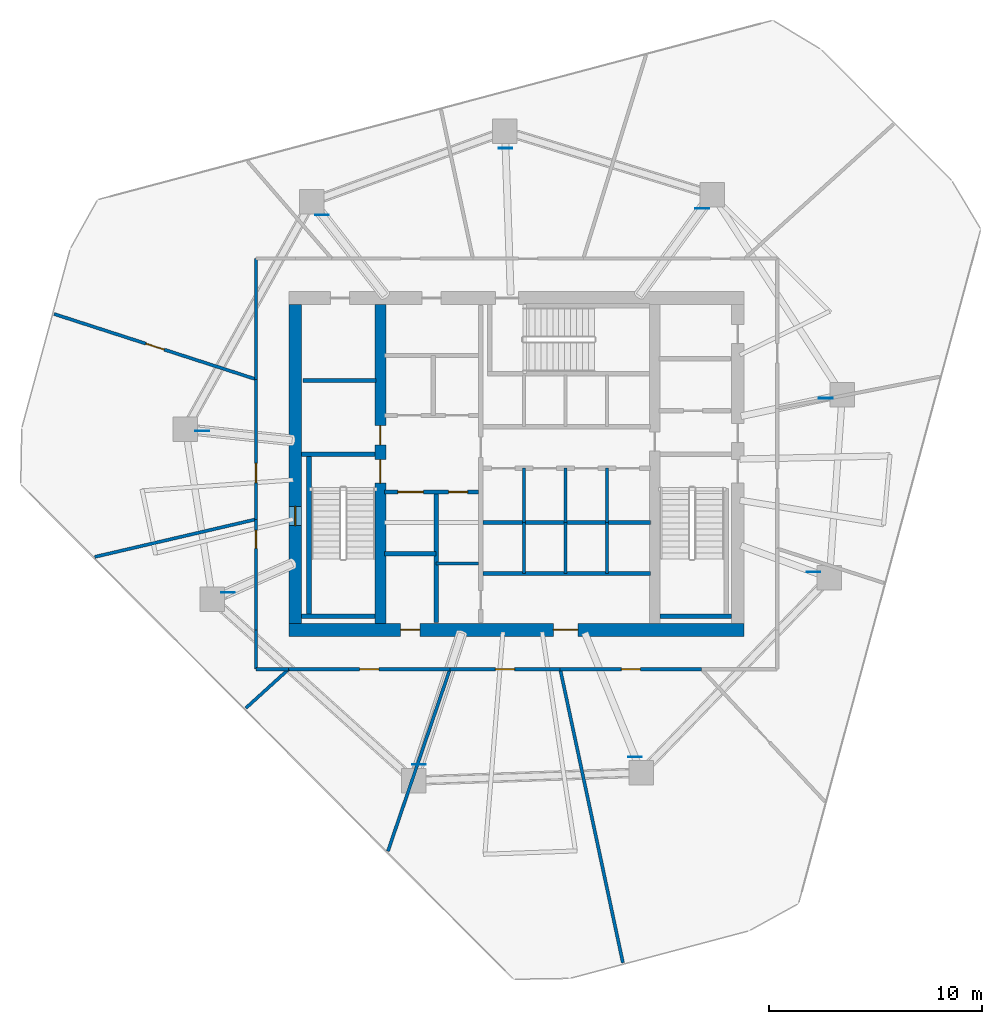
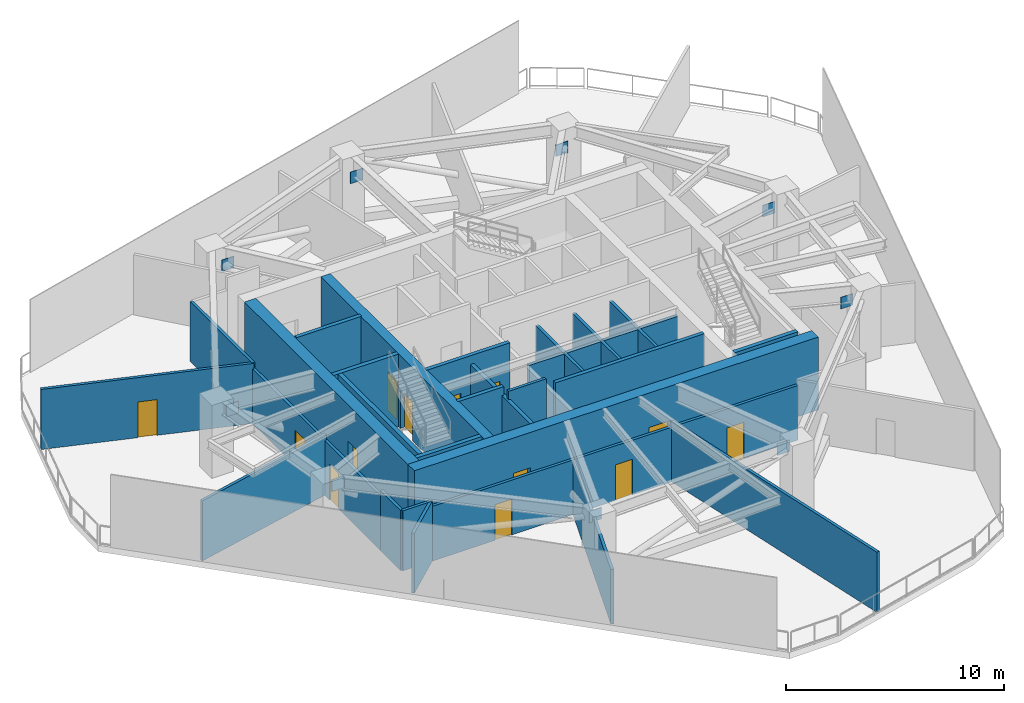
# One storey, part 3 of 7: 33 walls, 13 doors, 9 plates, 13 openings.
"""IFC4 building model written with IfcOpenShell, lengths in metres."""

from ifc_helpers import new_model, si_unit, direction, frame, frame_2d, origin, origin_2d, place, context, subcontext, project, spatial, rectangle, extrude, material, layer, layer_set, type_object, element, fill, save


model = new_model("IFC4")

# Units and contexts
model_context = context("Model", 3, precision=1e-05, world=origin(), true_north=direction((0.0, 1.0)))
body_context = subcontext(model_context, "Body", "Model", "MODEL_VIEW")
ifc_project = project(units=[si_unit("LENGTHUNIT", "METRE"), si_unit("AREAUNIT", "SQUARE_METRE"), si_unit("VOLUMEUNIT", "CUBIC_METRE"), si_unit("PLANEANGLEUNIT", "RADIAN"), si_unit("MASSUNIT", "GRAM", prefix="KILO")], contexts=[model_context])

# Site, building, storey
site_placement = place(None, origin())
site = spatial("IfcSite", under=ifc_project, at=site_placement, CompositionType="ELEMENT")
building_placement = place(site_placement, origin())
building = spatial("IfcBuilding", under=site, at=building_placement, Name="Qarnah Convention Tower", CompositionType="ELEMENT")
storey_placement = place(building_placement, frame((0.0, 0.0, 121.199951171875)))
storey = spatial("IfcBuildingStorey", under=building, at=storey_placement, Name="L32", CompositionType="ELEMENT", Elevation=121.199951171875)

# Plates
ifc_material_1 = material(Name="Structural steel S355JR", Category="steel")
ifc_layer_1 = layer(ifc_material_1, 0.028076171875)
ifc_layer_set_1 = layer_set([ifc_layer_1], Name="Structural steel S355JR")
plate_type = type_object("IfcPlateType", Name="PLT-FLANGE-28", PredefinedType="USERDEFINED", material=ifc_layer_set_1)
for number, where, z_axis, x_axis, name in (
    (1, (51.72509765625, 29.487060546875, 2.795166015625), (0.0, 0.0, 1.0), (1.0, 0.0, 0.0), "L32 outrigger node flange plate 01"),
    (2, (45.928955078125, 38.4140625, 2.795166015625), (0.0, 0.0, 1.0), (1.0, 0.0, 0.0), "L32 outrigger node flange plate 02"),
    (3, (36.681884765625, 41.240966796875, 2.795166015625), (0.0, 0.0, 1.0), (1.0, 0.0, 0.0), "L32 outrigger node flange plate 03"),
    (4, (28.056884765625, 38.10205078125, 2.795166015625), (0.0, 0.0, 1.0), (1.0, 0.0, 0.0), "L32 outrigger node flange plate 04"),
    (5, (22.430908203125, 27.951904296875, 2.795166015625), (0.0, 0.0, 1.0), (1.0, 0.0, 0.0), "L32 outrigger node flange plate 05"),
    (6, (23.634033203125, 20.360107421875, 2.795166015625), (0.0, 0.0, 1.0), (1.0, 0.0, 0.0), "L32 outrigger node flange plate 06"),
    (7, (32.611083984375, 12.277099609375, 2.795166015625), (0.0, 0.0, 1.0), (1.0, 0.0, 0.0), "L32 outrigger node flange plate 07"),
    (8, (42.762939453125, 12.631103515625, 2.795166015625), (0.0, 0.0, 1.0), (1.0, 0.0, 0.0), "L32 outrigger node flange plate 08"),
    (9, (51.154052734375, 21.321044921875, 2.795166015625), (0.0, 0.0, 1.0), (1.0, 0.0, 0.0), "L32 outrigger node flange plate 09"),
):
    element("IfcPlate", number, at=place(storey_placement, frame(where, z_axis=z_axis, x_axis=x_axis)), inside=storey, type_object=plate_type, Name=name, ObjectType="FLANGE_PLATE", PredefinedType="USERDEFINED", context=body_context, shape_type="SweptSolid", body=[
        extrude(rectangle(XDim=0.64990234375, YDim=0.028076171875, at=origin_2d()), origin(), (0.0, 0.0, 1.0), 0.64990234375),
    ])

# Wall, openings, doors
ifc_material_2 = material(Name="Concrete C60/75", Category="concrete")
ifc_layer_2 = layer(ifc_material_2, 0.60009765625)
ifc_layer_set_2 = layer_set([ifc_layer_2], Name="Concrete C60/75")
wall_type_1 = type_object("IfcWallType", Name="WL-CORE-600", PredefinedType="SHEAR", material=ifc_layer_set_2)
wall_1_placement = place(storey_placement, frame((26.5, 18.60009765625, 0.0), z_axis=(0.0, 0.0, 1.0), x_axis=(1.0, 0.0, 0.0)))
wall_1 = element("IfcWall", 10, at=wall_1_placement, inside=storey, type_object=wall_type_1, Name="L32 core south shear wall", PredefinedType="SHEAR", context=body_context, shape_type="SweptSolid", body=[
    extrude(rectangle(XDim=21.39990234375, YDim=0.60009765625, at=frame_2d((10.699951171875, 0.0))), origin(), (0.0, 0.0, 1.0), 4.080078125),
])
opening_1_placement = place(wall_1_placement, frame((12.425048828125, 0.0, 0.0)))
opening_1 = element("IfcOpeningElement", 11, at=opening_1_placement, cuts=wall_1, Name="Opening D-3207", PredefinedType="OPENING", context=body_context, shape_type="SweptSolid", body=[
    extrude(rectangle(XDim=1.14990234375, YDim=2.14990234375, at=frame_2d((0.574951171875, 1.074951171875))), frame((0.0, 0.31005859375, 0.0), z_axis=(0.0, -1.0, 0.0), x_axis=(1.0, 0.0, 0.0)), (0.0, 0.0, 1.0), 0.6201171875),
])
opening_2_placement = place(wall_1_placement, frame((5.25, 0.0, 0.0)))
opening_2 = element("IfcOpeningElement", 12, at=opening_2_placement, cuts=wall_1, Name="Opening D-3213", PredefinedType="OPENING", context=body_context, shape_type="SweptSolid", body=[
    extrude(rectangle(XDim=0.89990234375, YDim=2.10009765625, at=frame_2d((0.449951171875, 1.050048828125))), frame((0.0, 0.31005859375, 0.0), z_axis=(0.0, -1.0, 0.0), x_axis=(1.0, 0.0, 0.0)), (0.0, 0.0, 1.0), 0.6201171875),
])
door_type_1 = type_object("IfcDoorType", Name="DT-LOBBY-1150", OperationType="NOTDEFINED", PredefinedType="DOOR", material=ifc_material_1)
door_1_placement = place(opening_1_placement, origin())
door_1 = element("IfcDoor", 13, at=door_1_placement, inside=storey, type_object=door_type_1, Name="Door D-3207", OperationType="SINGLE_SWING_RIGHT", OverallHeight=2.14990234375, OverallWidth=1.14990234375, PredefinedType="DOOR", context=body_context, shape_type="SweptSolid", body=[
    extrude(rectangle(XDim=1.14990234375, YDim=2.14990234375, at=frame_2d((0.574951171875, 1.074951171875))), frame((0.0, 0.02490234375, 0.0), z_axis=(0.0, -1.0, 0.0), x_axis=(1.0, 0.0, 0.0)), (0.0, 0.0, 1.0), 0.050048828125),
])
fill(opening_1, door_1)
door_type_2 = type_object("IfcDoorType", Name="DT-RISER-900", OperationType="NOTDEFINED", PredefinedType="DOOR", material=ifc_material_1)
door_2_placement = place(opening_2_placement, origin())
door_2 = element("IfcDoor", 14, at=door_2_placement, inside=storey, type_object=door_type_2, Name="Door D-3213", OperationType="SINGLE_SWING_RIGHT", OverallHeight=2.10009765625, OverallWidth=0.89990234375, PredefinedType="DOOR", context=body_context, shape_type="SweptSolid", body=[
    extrude(rectangle(XDim=0.89990234375, YDim=2.10009765625, at=frame_2d((0.449951171875, 1.050048828125))), frame((0.0, 0.02490234375, 0.0), z_axis=(0.0, -1.0, 0.0), x_axis=(1.0, 0.0, 0.0)), (0.0, 0.0, 1.0), 0.050048828125),
])
fill(opening_2, door_2)

# Wall, opening, door
wall_2_placement = place(storey_placement, frame((26.800048828125, 18.89990234375, 0.0), z_axis=(0.0, 0.0, 1.0), x_axis=(0.0, 1.0, 0.0)))
wall_2 = element("IfcWall", 15, at=wall_2_placement, inside=storey, type_object=wall_type_1, Name="L32 core west shear wall", PredefinedType="SHEAR", context=body_context, shape_type="SweptSolid", body=[
    extrude(rectangle(XDim=15.0, YDim=0.60009765625, at=frame_2d((7.5, 0.0))), origin(), (0.0, 0.0, 1.0), 4.080078125),
])
opening_3_placement = place(wall_2_placement, frame((4.60009765625, 0.0, 0.02001953125)))
opening_3 = element("IfcOpeningElement", 16, at=opening_3_placement, cuts=wall_2, Name="Opening HT-3201", PredefinedType="OPENING", context=body_context, shape_type="SweptSolid", body=[
    extrude(rectangle(XDim=0.89990234375, YDim=2.02001953125, at=frame_2d((0.449951171875, 1.010009765625))), frame((0.0, 0.31005859375, 0.0), z_axis=(0.0, -1.0, 0.0), x_axis=(1.0, 0.0, 0.0)), (0.0, 0.0, 1.0), 0.6201171875),
])
door_type_3 = type_object("IfcDoorType", Name="DT-HATCH-900", OperationType="NOTDEFINED", PredefinedType="TRAPDOOR", material=ifc_material_1)
door_3_placement = place(opening_3_placement, origin())
door_3 = element("IfcDoor", 17, at=door_3_placement, inside=storey, type_object=door_type_3, Name="L32 mechanical plenum access trapdoor", OperationType="SINGLE_SWING_LEFT", OverallHeight=2.02001953125, OverallWidth=0.89990234375, PredefinedType="TRAPDOOR", context=body_context, shape_type="SweptSolid", body=[
    extrude(rectangle(XDim=0.89990234375, YDim=2.02001953125, at=frame_2d((0.449951171875, 1.010009765625))), frame((0.0, 0.02490234375, 0.0), z_axis=(0.0, -1.0, 0.0), x_axis=(1.0, 0.0, 0.0)), (0.0, 0.0, 1.0), 0.050048828125),
])
fill(opening_3, door_3)

# Wall, openings, doors
ifc_layer_3 = layer(ifc_material_2, 0.5)
ifc_layer_set_3 = layer_set([ifc_layer_3], Name="Concrete C60/75")
wall_type_2 = type_object("IfcWallType", Name="WL-CORE-INT-400", PredefinedType="SHEAR", material=ifc_layer_set_3)
wall_3_placement = place(storey_placement, frame((30.800048828125, 18.89990234375, 0.0), z_axis=(0.0, 0.0, 1.0), x_axis=(0.0, 1.0, 0.0)))
wall_3 = element("IfcWall", 18, at=wall_3_placement, inside=storey, type_object=wall_type_2, Name="L32 core west spine shear wall", PredefinedType="SHEAR", context=body_context, shape_type="SweptSolid", body=[
    extrude(rectangle(XDim=15.0, YDim=0.5, at=frame_2d((7.5, 0.0))), origin(), (0.0, 0.0, 1.0), 4.080078125),
])
opening_4_placement = place(wall_3_placement, frame((6.60009765625, 0.0, 0.0)))
opening_4 = element("IfcOpeningElement", 19, at=opening_4_placement, cuts=wall_3, Name="Opening D-3201", PredefinedType="OPENING", context=body_context, shape_type="SweptSolid", body=[
    extrude(rectangle(XDim=1.10009765625, YDim=2.14990234375, at=frame_2d((0.550048828125, 1.074951171875))), frame((0.0, 0.260009765625, 0.0), z_axis=(0.0, -1.0, 0.0), x_axis=(1.0, 0.0, 0.0)), (0.0, 0.0, 1.0), 0.52001953125),
])
opening_5_placement = place(wall_3_placement, frame((8.39990234375, 0.0, 0.0)))
opening_5 = element("IfcOpeningElement", 20, at=opening_5_placement, cuts=wall_3, Name="Opening D-3208", PredefinedType="OPENING", context=body_context, shape_type="SweptSolid", body=[
    extrude(rectangle(XDim=0.89990234375, YDim=2.10009765625, at=frame_2d((0.449951171875, 1.050048828125))), frame((0.0, 0.260009765625, 0.0), z_axis=(0.0, -1.0, 0.0), x_axis=(1.0, 0.0, 0.0)), (0.0, 0.0, 1.0), 0.52001953125),
])
door_4_placement = place(opening_5_placement, origin())
door_4 = element("IfcDoor", 21, at=door_4_placement, inside=storey, type_object=door_type_2, Name="Door D-3208", OperationType="SINGLE_SWING_LEFT", OverallHeight=2.10009765625, OverallWidth=0.89990234375, PredefinedType="DOOR", context=body_context, shape_type="SweptSolid", body=[
    extrude(rectangle(XDim=0.89990234375, YDim=2.10009765625, at=frame_2d((0.449951171875, 1.050048828125))), frame((0.0, 0.02490234375, 0.0), z_axis=(0.0, -1.0, 0.0), x_axis=(1.0, 0.0, 0.0)), (0.0, 0.0, 1.0), 0.050048828125),
])
fill(opening_5, door_4)
door_type_4 = type_object("IfcDoorType", Name="DT-STAIR-1100", OperationType="NOTDEFINED", PredefinedType="DOOR", material=ifc_material_1)
door_5_placement = place(opening_4_placement, origin())
door_5 = element("IfcDoor", 22, at=door_5_placement, inside=storey, type_object=door_type_4, Name="Door D-3201", OperationType="SINGLE_SWING_RIGHT", OverallHeight=2.14990234375, OverallWidth=1.10009765625, PredefinedType="DOOR", context=body_context, shape_type="SweptSolid", body=[
    extrude(rectangle(XDim=1.10009765625, YDim=2.14990234375, at=frame_2d((0.550048828125, 1.074951171875))), frame((0.0, 0.02490234375, 0.0), z_axis=(0.0, -1.0, 0.0), x_axis=(1.0, 0.0, 0.0)), (0.0, 0.0, 1.0), 0.050048828125),
])
fill(opening_4, door_5)

# Wall
ifc_material_3 = material(Name="Concrete C45/55", Category="concrete")
ifc_layer_4 = layer(ifc_material_3, 0.199951171875)
ifc_layer_set_4 = layer_set([ifc_layer_4], Name="Concrete C45/55")
wall_type_3 = type_object("IfcWallType", Name="WL-CORE-PART-200", PredefinedType="SOLIDWALL", material=ifc_layer_set_4)
wall_4_placement = place(storey_placement, frame((27.14990234375, 30.320068359375, 0.0), z_axis=(0.0, 0.0, 1.0), x_axis=(1.0, 0.0, 0.0)))
element("IfcWall", 23, at=wall_4_placement, inside=storey, type_object=wall_type_3, Name="L32 interior wall IW-L32-ELRN", PredefinedType="SOLIDWALL", context=body_context, shape_type="SweptSolid", body=[
    extrude(rectangle(XDim=3.4501953125, YDim=0.199951171875, at=frame_2d((1.72509765625, 0.0))), origin(), (0.0, 0.0, 1.0), 4.080078125),
])

# Wall, openings, doors
wall_5_placement = place(storey_placement, frame((31.0, 25.080078125, 0.0), z_axis=(0.0, 0.0, 1.0), x_axis=(1.0, 0.0, 0.0)))
wall_5 = element("IfcWall", 24, at=wall_5_placement, inside=storey, type_object=wall_type_3, Name="L32 interior wall IW-L32-FFLBS", PredefinedType="SOLIDWALL", context=body_context, shape_type="SweptSolid", body=[
    extrude(rectangle(XDim=4.419921875, YDim=0.199951171875, at=frame_2d((2.2099609375, 0.0))), origin(), (0.0, 0.0, 1.0), 4.080078125),
])
opening_6_placement = place(wall_5_placement, frame((3.0, 0.0, 0.0)))
opening_6 = element("IfcOpeningElement", 25, at=opening_6_placement, cuts=wall_5, Name="Opening D-3215", PredefinedType="OPENING", context=body_context, shape_type="SweptSolid", body=[
    extrude(rectangle(XDim=0.89990234375, YDim=2.10009765625, at=frame_2d((0.449951171875, 1.050048828125))), frame((0.0, 0.10986328125, 0.0), z_axis=(0.0, -1.0, 0.0), x_axis=(1.0, 0.0, 0.0)), (0.0, 0.0, 1.0), 0.219970703125),
])
opening_7_placement = place(wall_5_placement, frame((0.6201171875, 0.0, 0.0)))
opening_7 = element("IfcOpeningElement", 26, at=opening_7_placement, cuts=wall_5, Name="Opening LD-3203", PredefinedType="OPENING", context=body_context, shape_type="SweptSolid", body=[
    extrude(rectangle(XDim=1.199951171875, YDim=2.14990234375, at=frame_2d((0.60009765625, 1.074951171875))), frame((0.0, 0.10986328125, 0.0), z_axis=(0.0, -1.0, 0.0), x_axis=(1.0, 0.0, 0.0)), (0.0, 0.0, 1.0), 0.219970703125),
])
door_type_5 = type_object("IfcDoorType", Name="DT-LIFT-1200", OperationType="SLIDING_TO_LEFT", PredefinedType="DOOR", material=ifc_material_1)
door_6_placement = place(opening_7_placement, origin())
door_6 = element("IfcDoor", 27, at=door_6_placement, inside=storey, type_object=door_type_5, Name="Door LD-3203", OperationType="SLIDING_TO_LEFT", OverallHeight=2.14990234375, OverallWidth=1.199951171875, PredefinedType="DOOR", context=body_context, shape_type="SweptSolid", body=[
    extrude(rectangle(XDim=1.199951171875, YDim=2.14990234375, at=frame_2d((0.60009765625, 1.074951171875))), frame((0.0, 0.02490234375, 0.0), z_axis=(0.0, -1.0, 0.0), x_axis=(1.0, 0.0, 0.0)), (0.0, 0.0, 1.0), 0.050048828125),
])
fill(opening_7, door_6)
door_7_placement = place(opening_6_placement, origin())
door_7 = element("IfcDoor", 28, at=door_7_placement, inside=storey, type_object=door_type_2, Name="Door D-3215", OperationType="SINGLE_SWING_RIGHT", OverallHeight=2.10009765625, OverallWidth=0.89990234375, PredefinedType="DOOR", context=body_context, shape_type="SweptSolid", body=[
    extrude(rectangle(XDim=0.89990234375, YDim=2.10009765625, at=frame_2d((0.449951171875, 1.050048828125))), frame((0.0, 0.02490234375, 0.0), z_axis=(0.0, -1.0, 0.0), x_axis=(1.0, 0.0, 0.0)), (0.0, 0.0, 1.0), 0.050048828125),
])
fill(opening_6, door_7)

# Walls
wall_6_placement = place(storey_placement, frame((33.419921875, 18.949951171875, 0.0), z_axis=(0.0, 0.0, 1.0), x_axis=(0.0, 1.0, 0.0)))
element("IfcWall", 29, at=wall_6_placement, inside=storey, type_object=wall_type_3, Name="L32 interior wall IW-L32-SVLE", PredefinedType="SOLIDWALL", context=body_context, shape_type="SweptSolid", body=[
    extrude(rectangle(XDim=6.130126953125, YDim=0.199951171875, at=frame_2d((3.06494140625, 0.0))), origin(), (0.0, 0.0, 1.0), 3.60107421875),
])
wall_7_placement = place(storey_placement, frame((31.0, 22.179931640625, 0.0), z_axis=(0.0, 0.0, 1.0), x_axis=(1.0, 0.0, 0.0)))
element("IfcWall", 30, at=wall_7_placement, inside=storey, type_object=wall_type_3, Name="L32 interior wall IW-L32-SVLS", PredefinedType="SOLIDWALL", context=body_context, shape_type="SweptSolid", body=[
    extrude(rectangle(XDim=2.419921875, YDim=0.199951171875, at=frame_2d((1.2099609375, 0.0))), origin(), (0.0, 0.0, 1.0), 4.080078125),
])
wall_8_placement = place(storey_placement, frame((35.6201171875, 23.64990234375, 0.0), z_axis=(0.0, 0.0, 1.0), x_axis=(1.0, 0.0, 0.0)))
element("IfcWall", 31, at=wall_8_placement, inside=storey, type_object=wall_type_3, Name="L32 interior wall IW-L32-PMPL", PredefinedType="SOLIDWALL", context=body_context, shape_type="SweptSolid", body=[
    extrude(rectangle(XDim=7.8798828125, YDim=0.199951171875, at=frame_2d((3.93994140625, 0.0))), origin(), (0.0, 0.0, 1.0), 3.60107421875),
])
wall_9_placement = place(storey_placement, frame((35.6201171875, 21.25, 0.0), z_axis=(0.0, 0.0, 1.0), x_axis=(1.0, 0.0, 0.0)))
element("IfcWall", 32, at=wall_9_placement, inside=storey, type_object=wall_type_3, Name="L32 interior wall IW-L32-PLS", PredefinedType="SOLIDWALL", context=body_context, shape_type="SweptSolid", body=[
    extrude(rectangle(XDim=7.8798828125, YDim=0.199951171875, at=frame_2d((3.93994140625, 0.0))), origin(), (0.0, 0.0, 1.0), 4.080078125),
])
ifc_layer_5 = layer(ifc_material_2, 0.219970703125)
ifc_layer_set_5 = layer_set([ifc_layer_5], Name="Concrete C60/75")
wall_type_4 = type_object("IfcWallType", Name="WL-CORE-STAIR-220", PredefinedType="SHEAR", material=ifc_layer_set_5)
wall_10_placement = place(storey_placement, frame((27.10009765625, 26.860107421875, 0.0), z_axis=(0.0, 0.0, 1.0), x_axis=(1.0, 0.0, 0.0)))
element("IfcWall", 33, at=wall_10_placement, inside=storey, type_object=wall_type_4, Name="L32 stair shaft shear wall SW-L32-ST1N", PredefinedType="SHEAR", context=body_context, shape_type="SweptSolid", body=[
    extrude(rectangle(XDim=3.449951171875, YDim=0.219970703125, at=frame_2d((1.72509765625, 0.0))), origin(), (0.0, 0.0, 1.0), 4.080078125),
])
wall_11_placement = place(storey_placement, frame((27.43994140625, 19.35009765625, 0.0), z_axis=(0.0, 0.0, 1.0), x_axis=(0.0, 1.0, 0.0)))
element("IfcWall", 34, at=wall_11_placement, inside=storey, type_object=wall_type_4, Name="L32 stair shaft shear wall SW-L32-ST1W", PredefinedType="SHEAR", context=body_context, shape_type="SweptSolid", body=[
    extrude(rectangle(XDim=7.39990234375, YDim=0.219970703125, at=frame_2d((3.699951171875, 0.0))), origin(), (0.0, 0.0, 1.0), 4.080078125),
])
wall_12_placement = place(storey_placement, frame((27.10009765625, 19.239990234375, 0.0), z_axis=(0.0, 0.0, 1.0), x_axis=(1.0, 0.0, 0.0)))
element("IfcWall", 35, at=wall_12_placement, inside=storey, type_object=wall_type_4, Name="L32 stair shaft shear wall SW-L32-ST1S", PredefinedType="SHEAR", context=body_context, shape_type="SweptSolid", body=[
    extrude(rectangle(XDim=3.449951171875, YDim=0.219970703125, at=frame_2d((1.72509765625, 0.0))), origin(), (0.0, 0.0, 1.0), 4.080078125),
])
wall_13_placement = place(storey_placement, frame((43.949951171875, 19.239990234375, 0.0), z_axis=(0.0, 0.0, 1.0), x_axis=(1.0, 0.0, 0.0)))
element("IfcWall", 36, at=wall_13_placement, inside=storey, type_object=wall_type_4, Name="L32 stair shaft shear wall SW-L32-ST2S", PredefinedType="SHEAR", context=body_context, shape_type="SweptSolid", body=[
    extrude(rectangle(XDim=3.35009765625, YDim=0.219970703125, at=frame_2d((1.675048828125, 0.0))), origin(), (0.0, 0.0, 1.0), 4.080078125),
])
ifc_material_4 = material(Name="Gypsum partition board")
ifc_layer_6 = layer(ifc_material_4, 0.14990234375)
ifc_layer_set_6 = layer_set([ifc_layer_6], Name="Gypsum partition board")
wall_type_5 = type_object("IfcWallType", Name="WL-SUITE-150", PredefinedType="PARTITIONING", material=ifc_layer_set_6)
wall_14_placement = place(storey_placement, frame((33.419921875, 21.719970703125, 0.0), z_axis=(0.0, 0.0, 1.0), x_axis=(1.0, 0.0, 0.0)))
element("IfcWall", 37, at=wall_14_placement, inside=storey, type_object=wall_type_5, Name="L32 interior wall IW-L32-CSV1", PredefinedType="PARTITIONING", context=body_context, shape_type="SweptSolid", body=[
    extrude(rectangle(XDim=2.0, YDim=0.14990234375, at=frame_2d((1.0, 0.0))), origin(), (0.0, 0.0, 1.0), 4.080078125),
])
for number, where, z_axis, x_axis, name in (
    (38, (37.550048828125, 23.64990234375, 0.0), (0.0, 0.0, 1.0), (0.0, 1.0, 0.0), "L32 interior wall IW-L32-PMD1"),
    (39, (39.5, 23.64990234375, 0.0), (0.0, 0.0, 1.0), (0.0, 1.0, 0.0), "L32 interior wall IW-L32-PMD2"),
    (40, (41.449951171875, 23.64990234375, 0.0), (0.0, 0.0, 1.0), (0.0, 1.0, 0.0), "L32 interior wall IW-L32-PMD3"),
):
    element("IfcWall", number, at=place(storey_placement, frame(where, z_axis=z_axis, x_axis=x_axis)), inside=storey, type_object=wall_type_5, Name=name, PredefinedType="PARTITIONING", context=body_context, shape_type="SweptSolid", body=[
        extrude(rectangle(XDim=2.550048828125, YDim=0.14990234375, at=frame_2d((1.27490234375, 0.0))), origin(), (0.0, 0.0, 1.0), 3.60107421875),
    ])
for number, where, z_axis, x_axis, name in (
    (41, (37.550048828125, 21.25, 0.0), (0.0, 0.0, 1.0), (0.0, 1.0, 0.0), "L32 interior wall IW-L32-PLD1"),
    (42, (39.5, 21.25, 0.0), (0.0, 0.0, 1.0), (0.0, 1.0, 0.0), "L32 interior wall IW-L32-PLD2"),
    (43, (41.449951171875, 21.25, 0.0), (0.0, 0.0, 1.0), (0.0, 1.0, 0.0), "L32 interior wall IW-L32-PLD3"),
):
    element("IfcWall", number, at=place(storey_placement, frame(where, z_axis=z_axis, x_axis=x_axis)), inside=storey, type_object=wall_type_5, Name=name, PredefinedType="PARTITIONING", context=body_context, shape_type="SweptSolid", body=[
        extrude(rectangle(XDim=2.39990234375, YDim=0.14990234375, at=frame_2d((1.199951171875, 0.0))), origin(), (0.0, 0.0, 1.0), 3.60107421875),
    ])

# Wall, opening, door
wall_15_placement = place(storey_placement, frame((15.4619140625, 33.447998046875, 0.0), z_axis=(0.0, 0.0, 1.0), x_axis=(0.951489851006, -0.307680131683, 0.0)))
wall_15 = element("IfcWall", 44, at=wall_15_placement, inside=storey, type_object=wall_type_5, Name="L32 interior wall IW-L32-R-12", PredefinedType="PARTITIONING", context=body_context, shape_type="SweptSolid", body=[
    extrude(rectangle(XDim=9.9716796875, YDim=0.14990234375, at=frame_2d((4.98583984375, 0.0))), origin(), (0.0, 0.0, 1.0), 3.364990234375),
])
opening_8_placement = place(wall_15_placement, frame((4.535888671875, 0.0, 0.0)))
opening_8 = element("IfcOpeningElement", 45, at=opening_8_placement, cuts=wall_15, Name="Opening D-3220", PredefinedType="OPENING", context=body_context, shape_type="SweptSolid", body=[
    extrude(rectangle(XDim=0.89990234375, YDim=2.0, at=frame_2d((0.449951171875, 1.0))), frame((0.0, 0.0849609375, 0.0), z_axis=(0.0, -1.0, 0.0), x_axis=(1.0, 0.0, 0.0)), (0.0, 0.0, 1.0), 0.169921875),
])
door_type_6 = type_object("IfcDoorType", Name="DT-PLANT-900", OperationType="NOTDEFINED", PredefinedType="DOOR", material=ifc_material_1)
door_8_placement = place(opening_8_placement, origin())
door_8 = element("IfcDoor", 46, at=door_8_placement, inside=storey, type_object=door_type_6, Name="Door D-3220", OperationType="SINGLE_SWING_LEFT", OverallHeight=2.0, OverallWidth=0.89990234375, PredefinedType="DOOR", context=body_context, shape_type="SweptSolid", body=[
    extrude(rectangle(XDim=0.89990234375, YDim=2.0, at=frame_2d((0.449951171875, 1.0))), frame((0.0, 0.02490234375, 0.0), z_axis=(0.0, -1.0, 0.0), x_axis=(1.0, 0.0, 0.0)), (0.0, 0.0, 1.0), 0.050048828125),
])
fill(opening_8, door_8)

# Walls
wall_16_placement = place(storey_placement, frame((24.949951171875, 30.3798828125, 0.0), z_axis=(0.0, 0.0, 1.0), x_axis=(0.0, 1.0, 0.0)))
element("IfcWall", 47, at=wall_16_placement, inside=storey, type_object=wall_type_5, Name="L32 interior wall IW-L32-R-13", PredefinedType="PARTITIONING", context=body_context, shape_type="SweptSolid", body=[
    extrude(rectangle(XDim=5.670166015625, YDim=0.14990234375, at=frame_2d((2.8349609375, 0.0))), origin(), (0.0, 0.0, 1.0), 3.364990234375),
])
wall_17_placement = place(storey_placement, frame((17.373046875, 22.031005859375, 0.0), z_axis=(0.0, 0.0, 1.0), x_axis=(0.973927942372, 0.226857583226, 0.0)))
element("IfcWall", 48, at=wall_17_placement, inside=storey, type_object=wall_type_5, Name="L32 interior wall IW-L32-R-16", PredefinedType="PARTITIONING", context=body_context, shape_type="SweptSolid", body=[
    extrude(rectangle(XDim=7.77978515625, YDim=0.14990234375, at=frame_2d((3.889892578125, 0.0))), origin(), (0.0, 0.0, 1.0), 3.364990234375),
])

# Wall, opening, door
wall_18_placement = place(storey_placement, frame((24.949951171875, 23.7958984375, 0.0), z_axis=(0.0, 0.0, 1.0), x_axis=(0.0, 1.0, 0.0)))
wall_18 = element("IfcWall", 49, at=wall_18_placement, inside=storey, type_object=wall_type_5, Name="L32 interior wall IW-L32-R-17", PredefinedType="PARTITIONING", context=body_context, shape_type="SweptSolid", body=[
    extrude(rectangle(XDim=6.583984375, YDim=0.14990234375, at=frame_2d((3.2919921875, 0.0))), origin(), (0.0, 0.0, 1.0), 3.06494140625),
])
opening_9_placement = place(wall_18_placement, frame((1.72705078125, 0.0, 0.0)))
opening_9 = element("IfcOpeningElement", 50, at=opening_9_placement, cuts=wall_18, Name="Opening D-3221", PredefinedType="OPENING", context=body_context, shape_type="SweptSolid", body=[
    extrude(rectangle(XDim=0.89990234375, YDim=2.0, at=frame_2d((0.449951171875, 1.0))), frame((0.0, 0.0849609375, 0.0), z_axis=(0.0, -1.0, 0.0), x_axis=(1.0, 0.0, 0.0)), (0.0, 0.0, 1.0), 0.169921875),
])
door_9_placement = place(opening_9_placement, origin())
door_9 = element("IfcDoor", 51, at=door_9_placement, inside=storey, type_object=door_type_6, Name="Door D-3221", OperationType="SINGLE_SWING_RIGHT", OverallHeight=2.0, OverallWidth=0.89990234375, PredefinedType="DOOR", context=body_context, shape_type="SweptSolid", body=[
    extrude(rectangle(XDim=0.89990234375, YDim=2.0, at=frame_2d((0.449951171875, 1.0))), frame((0.0, 0.02490234375, 0.0), z_axis=(0.0, -1.0, 0.0), x_axis=(1.0, 0.0, 0.0)), (0.0, 0.0, 1.0), 0.050048828125),
])
fill(opening_9, door_9)

# Walls
wall_19_placement = place(storey_placement, frame((24.471923828125, 14.919921875, 0.0), z_axis=(0.0, 0.0, 1.0), x_axis=(0.739590569091, 0.673057048185, 0.0)))
element("IfcWall", 52, at=wall_19_placement, inside=storey, type_object=wall_type_5, Name="L32 interior wall IW-L32-R-18", PredefinedType="PARTITIONING", context=body_context, shape_type="SweptSolid", body=[
    extrude(rectangle(XDim=2.718994140625, YDim=0.14990234375, at=frame_2d((1.359375, 0.0))), origin(), (0.0, 0.0, 1.0), 3.364990234375),
])
wall_20_placement = place(storey_placement, frame((26.48291015625, 16.75, 0.0), z_axis=(0.0, 0.0, 1.0), x_axis=(-1.0, 0.0, 0.0)))
element("IfcWall", 53, at=wall_20_placement, inside=storey, type_object=wall_type_5, Name="L32 interior wall IW-L32-R-19", PredefinedType="PARTITIONING", context=body_context, shape_type="SweptSolid", body=[
    extrude(rectangle(XDim=1.532958984375, YDim=0.14990234375, at=frame_2d((0.7666015625, 0.0))), origin(), (0.0, 0.0, 1.0), 3.364990234375),
])
wall_21_placement = place(storey_placement, frame((24.949951171875, 16.75, 0.0), z_axis=(0.0, 0.0, 1.0), x_axis=(0.0, 1.0, 0.0)))
element("IfcWall", 54, at=wall_21_placement, inside=storey, type_object=wall_type_5, Name="L32 interior wall IW-L32-R-20", PredefinedType="PARTITIONING", context=body_context, shape_type="SweptSolid", body=[
    extrude(rectangle(XDim=1.85009765625, YDim=0.14990234375, at=frame_2d((0.925048828125, 0.0))), origin(), (0.0, 0.0, 1.0), 3.364990234375),
])

# Wall, opening, door
wall_22_placement = place(storey_placement, frame((24.949951171875, 18.60009765625, 0.0), z_axis=(0.0, 0.0, 1.0), x_axis=(0.0, 1.0, 0.0)))
wall_22 = element("IfcWall", 55, at=wall_22_placement, inside=storey, type_object=wall_type_5, Name="L32 interior wall IW-L32-R-21", PredefinedType="PARTITIONING", context=body_context, shape_type="SweptSolid", body=[
    extrude(rectangle(XDim=5.19580078125, YDim=0.14990234375, at=frame_2d((2.597900390625, 0.0))), origin(), (0.0, 0.0, 1.0), 3.06494140625),
])
opening_10_placement = place(wall_22_placement, frame((3.830078125, 0.0, 0.0)))
opening_10 = element("IfcOpeningElement", 56, at=opening_10_placement, cuts=wall_22, Name="Opening D-3222", PredefinedType="OPENING", context=body_context, shape_type="SweptSolid", body=[
    extrude(rectangle(XDim=0.85009765625, YDim=2.0, at=frame_2d((0.425048828125, 1.0))), frame((0.0, 0.0849609375, 0.0), z_axis=(0.0, -1.0, 0.0), x_axis=(1.0, 0.0, 0.0)), (0.0, 0.0, 1.0), 0.169921875),
])
ifc_material_5 = material(Name="Oak timber veneer", Category="wood")
door_type_7 = type_object("IfcDoorType", Name="DT-BATH-850", OperationType="NOTDEFINED", PredefinedType="DOOR", material=ifc_material_5)
door_10_placement = place(opening_10_placement, origin())
door_10 = element("IfcDoor", 57, at=door_10_placement, inside=storey, type_object=door_type_7, Name="Door D-3222", OperationType="SINGLE_SWING_LEFT", OverallHeight=2.0, OverallWidth=0.85009765625, PredefinedType="DOOR", context=body_context, shape_type="SweptSolid", body=[
    extrude(rectangle(XDim=0.85009765625, YDim=2.0, at=frame_2d((0.425048828125, 1.0))), frame((0.0, 0.02490234375, 0.0), z_axis=(0.0, -1.0, 0.0), x_axis=(1.0, 0.0, 0.0)), (0.0, 0.0, 1.0), 0.050048828125),
])
fill(opening_10, door_10)

# Wall
wall_23_placement = place(storey_placement, frame((31.153076171875, 8.198974609375, 0.0), z_axis=(0.0, 0.0, 1.0), x_axis=(0.322350885838, 0.94662025459, 0.0)))
element("IfcWall", 58, at=wall_23_placement, inside=storey, type_object=wall_type_5, Name="L32 interior wall IW-L32-R-22", PredefinedType="PARTITIONING", context=body_context, shape_type="SweptSolid", body=[
    extrude(rectangle(XDim=9.033203125, YDim=0.14990234375, at=frame_2d((4.5166015625, 0.0))), origin(), (0.0, 0.0, 1.0), 3.06494140625),
])

# Wall, opening, door
wall_24_placement = place(storey_placement, frame((34.06494140625, 16.75, 0.0), z_axis=(0.0, 0.0, 1.0), x_axis=(-1.0, 0.0, 0.0)))
wall_24 = element("IfcWall", 59, at=wall_24_placement, inside=storey, type_object=wall_type_5, Name="L32 interior wall IW-L32-R-23", PredefinedType="PARTITIONING", context=body_context, shape_type="SweptSolid", body=[
    extrude(rectangle(XDim=7.58203125, YDim=0.14990234375, at=frame_2d((3.791015625, 0.0))), origin(), (0.0, 0.0, 1.0), 3.06494140625),
])
opening_11_placement = place(wall_24_placement, frame((3.341064453125, 0.0, 0.0)))
opening_11 = element("IfcOpeningElement", 60, at=opening_11_placement, cuts=wall_24, Name="Opening D-3223", PredefinedType="OPENING", context=body_context, shape_type="SweptSolid", body=[
    extrude(rectangle(XDim=0.89990234375, YDim=2.0, at=frame_2d((0.449951171875, 1.0))), frame((0.0, 0.0849609375, 0.0), z_axis=(0.0, -1.0, 0.0), x_axis=(1.0, 0.0, 0.0)), (0.0, 0.0, 1.0), 0.169921875),
])
door_11_placement = place(opening_11_placement, origin())
door_11 = element("IfcDoor", 61, at=door_11_placement, inside=storey, type_object=door_type_6, Name="Door D-3223", OperationType="SINGLE_SWING_RIGHT", OverallHeight=2.0, OverallWidth=0.89990234375, PredefinedType="DOOR", context=body_context, shape_type="SweptSolid", body=[
    extrude(rectangle(XDim=0.89990234375, YDim=2.0, at=frame_2d((0.449951171875, 1.0))), frame((0.0, 0.02490234375, 0.0), z_axis=(0.0, -1.0, 0.0), x_axis=(1.0, 0.0, 0.0)), (0.0, 0.0, 1.0), 0.050048828125),
])
fill(opening_11, door_11)

# Wall
wall_25_placement = place(storey_placement, frame((42.197998046875, 2.950927734375, 0.0), z_axis=(0.0, 0.0, 1.0), x_axis=(-0.208856695106, 0.977946256657, 0.0)))
element("IfcWall", 62, at=wall_25_placement, inside=storey, type_object=wall_type_5, Name="L32 interior wall IW-L32-R-24", PredefinedType="PARTITIONING", context=body_context, shape_type="SweptSolid", body=[
    extrude(rectangle(XDim=14.1103515625, YDim=0.14990234375, at=frame_2d((7.05517578125, 0.0))), origin(), (0.0, 0.0, 1.0), 3.364990234375),
])

# Wall, opening, door
wall_26_placement = place(storey_placement, frame((39.2509765625, 16.75, 0.0), z_axis=(0.0, 0.0, 1.0), x_axis=(-1.0, 0.0, 0.0)))
wall_26 = element("IfcWall", 63, at=wall_26_placement, inside=storey, type_object=wall_type_5, Name="L32 interior wall IW-L32-R-25", PredefinedType="PARTITIONING", context=body_context, shape_type="SweptSolid", body=[
    extrude(rectangle(XDim=5.18603515625, YDim=0.14990234375, at=frame_2d((2.593017578125, 0.0))), origin(), (0.0, 0.0, 1.0), 3.06494140625),
])
opening_12_placement = place(wall_26_placement, frame((2.14306640625, 0.0, 0.0)))
opening_12 = element("IfcOpeningElement", 64, at=opening_12_placement, cuts=wall_26, Name="Opening D-3224", PredefinedType="OPENING", context=body_context, shape_type="SweptSolid", body=[
    extrude(rectangle(XDim=0.89990234375, YDim=2.0, at=frame_2d((0.449951171875, 1.0))), frame((0.0, 0.0849609375, 0.0), z_axis=(0.0, -1.0, 0.0), x_axis=(1.0, 0.0, 0.0)), (0.0, 0.0, 1.0), 0.169921875),
])
door_12_placement = place(opening_12_placement, origin())
door_12 = element("IfcDoor", 65, at=door_12_placement, inside=storey, type_object=door_type_6, Name="Door D-3224", OperationType="SINGLE_SWING_LEFT", OverallHeight=2.0, OverallWidth=0.89990234375, PredefinedType="DOOR", context=body_context, shape_type="SweptSolid", body=[
    extrude(rectangle(XDim=0.89990234375, YDim=2.0, at=frame_2d((0.449951171875, 1.0))), frame((0.0, 0.02490234375, 0.0), z_axis=(0.0, -1.0, 0.0), x_axis=(1.0, 0.0, 0.0)), (0.0, 0.0, 1.0), 0.050048828125),
])
fill(opening_12, door_12)

wall_27_placement = place(storey_placement, frame((45.888916015625, 16.75, 0.0), z_axis=(0.0, 0.0, 1.0), x_axis=(-1.0, 0.0, 0.0)))
wall_27 = element("IfcWall", 66, at=wall_27_placement, inside=storey, type_object=wall_type_5, Name="L32 interior wall IW-L32-R-27", PredefinedType="PARTITIONING", context=body_context, shape_type="SweptSolid", body=[
    extrude(rectangle(XDim=6.637939453125, YDim=0.14990234375, at=frame_2d((3.31884765625, 0.0))), origin(), (0.0, 0.0, 1.0), 3.06494140625),
])
opening_13_placement = place(wall_27_placement, frame((2.868896484375, 0.0, 0.0)))
opening_13 = element("IfcOpeningElement", 67, at=opening_13_placement, cuts=wall_27, Name="Opening D-3225", PredefinedType="OPENING", context=body_context, shape_type="SweptSolid", body=[
    extrude(rectangle(XDim=0.89990234375, YDim=2.0, at=frame_2d((0.449951171875, 1.0))), frame((0.0, 0.0849609375, 0.0), z_axis=(0.0, -1.0, 0.0), x_axis=(1.0, 0.0, 0.0)), (0.0, 0.0, 1.0), 0.169921875),
])
door_13_placement = place(opening_13_placement, origin())
door_13 = element("IfcDoor", 68, at=door_13_placement, inside=storey, type_object=door_type_6, Name="Door D-3225", OperationType="SINGLE_SWING_RIGHT", OverallHeight=2.0, OverallWidth=0.89990234375, PredefinedType="DOOR", context=body_context, shape_type="SweptSolid", body=[
    extrude(rectangle(XDim=0.89990234375, YDim=2.0, at=frame_2d((0.449951171875, 1.0))), frame((0.0, 0.02490234375, 0.0), z_axis=(0.0, -1.0, 0.0), x_axis=(1.0, 0.0, 0.0)), (0.0, 0.0, 1.0), 0.050048828125),
])
fill(opening_13, door_13)

save(model, "model.ifc")
